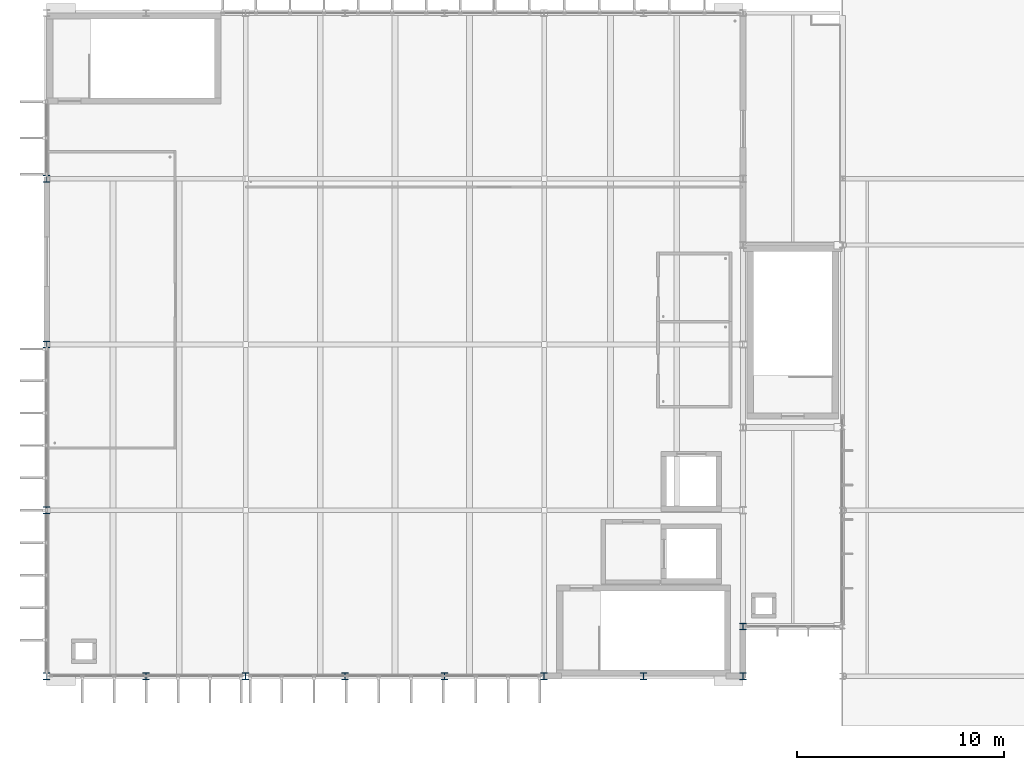
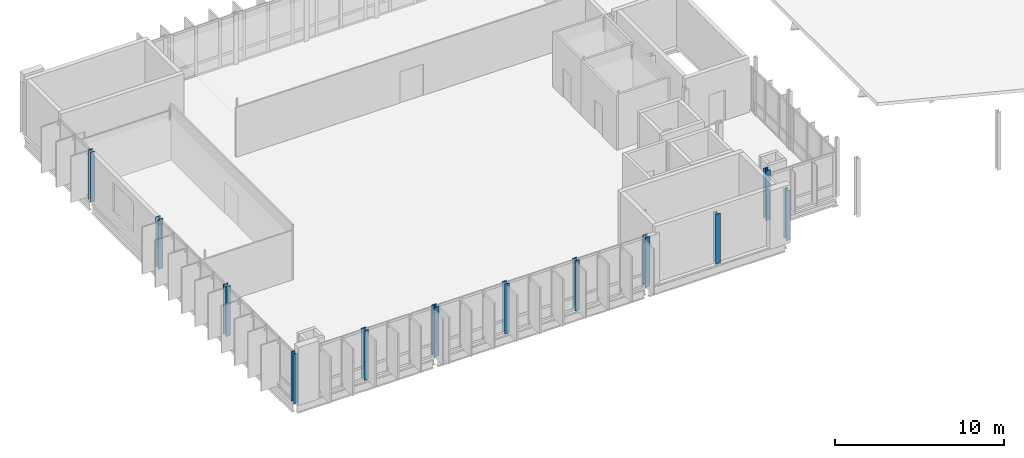
# One storey, part 1 of 22: 12 columns.
"""IFC4 building model written with IfcOpenShell, lengths in metres."""

import ifcopenshell
import ifcopenshell.guid

model = None  # the IFC model being written
_history = None  # IfcOwnerHistory: only IFC2X3 demands one
_inside = {}  # id of a spatial element -> (the spatial element, [elements in it])
_under = {}  # id of a project, library or spatial element -> (it, [spatial elements below it])
_declared = {}  # id of a project -> (the project, [libraries it declares])
_typed = {}  # id of a type object -> (the type object, [elements of that type])
_made_of = {}  # id of a material, layer set ... -> (it, [elements and type objects made of it])


def new_model(schema):
    """Start an empty IFC model of exactly this schema.

    Asked for "IFC4X3", IfcOpenShell would pick the latest addendum, in which some entities
    have other attributes; the version numbers below select the first issue.
    IFC2X3 requires an IfcOwnerHistory on every rooted entity: one is made here for all.
    """
    global model, _history
    if schema == "IFC4X3":
        model = ifcopenshell.file(schema_version=(4, 3, 0, 0))
    else:
        model = ifcopenshell.file(schema=schema)
    _inside.clear()
    _under.clear()
    _declared.clear()
    _typed.clear()
    _made_of.clear()
    _history = None
    if model.schema == "IFC2X3":
        org = make("IfcOrganization", Name="unknown")
        user = make(
            "IfcPersonAndOrganization",
            ThePerson=make("IfcPerson", FamilyName="unknown"),
            TheOrganization=org,
        )
        app = make(
            "IfcApplication",
            ApplicationDeveloper=org,
            Version="unknown",
            ApplicationFullName="unknown",
            ApplicationIdentifier="unknown",
        )
        _history = make(
            "IfcOwnerHistory",
            OwningUser=user,
            OwningApplication=app,
            ChangeAction="ADDED",
            CreationDate=0,
        )
    return model


def make(cls, **values):
    """One entity of the class cls with the attributes given. An attribute that is None is left unset."""
    return model.create_entity(
        cls, **{name: value for name, value in values.items() if value is not None}
    )


def rooted(cls, **values):
    """An entity with a GlobalId (a new one), such as an element, a storey or a relation."""
    return make(cls, GlobalId=ifcopenshell.guid.new(), OwnerHistory=_history, **values)


def si_unit(unit_type, name, prefix=None):
    """IfcSIUnit, for example si_unit("LENGTHUNIT", "METRE", prefix="MILLI")."""
    return make("IfcSIUnit", UnitType=unit_type, Prefix=prefix, Name=name)


def assignment(units):
    """IfcUnitAssignment: the units of a project."""
    return None if units is None else make("IfcUnitAssignment", Units=units)


def point(xyz):
    """IfcCartesianPoint."""
    return None if xyz is None else make("IfcCartesianPoint", Coordinates=xyz)


def direction(xyz):
    """IfcDirection."""
    return None if xyz is None else make("IfcDirection", DirectionRatios=xyz)


def frame(location, z_axis=None, x_axis=None):
    """IfcAxis2Placement3D, a coordinate frame: its origin and axes. An axis left out is left unset."""
    return make(
        "IfcAxis2Placement3D",
        Location=point(location),
        Axis=direction(z_axis),
        RefDirection=direction(x_axis),
    )


def frame_2d(location, x_axis=None):
    """IfcAxis2Placement2D, a coordinate frame in the plane: its origin and x axis."""
    return make(
        "IfcAxis2Placement2D", Location=point(location), RefDirection=direction(x_axis)
    )


def origin():
    """The frame at (0, 0, 0) with its axes left unset."""
    return frame((0.0, 0.0, 0.0))


def origin_2d():
    """The frame at (0, 0) in the plane with its x axis left unset."""
    return frame_2d((0.0, 0.0))


def place(relative_to, where):
    """IfcLocalPlacement: puts the frame where relative to a parent placement (None: the world)."""
    return make(
        "IfcLocalPlacement", PlacementRelTo=relative_to, RelativePlacement=where
    )


def context(
    kind, dimensions, precision=None, world=None, true_north=None, identifier=None
):
    """IfcGeometricRepresentationContext, for example the 3D "Model" context."""
    return make(
        "IfcGeometricRepresentationContext",
        ContextIdentifier=identifier,
        ContextType=kind,
        CoordinateSpaceDimension=dimensions,
        Precision=precision,
        WorldCoordinateSystem=world,
        TrueNorth=true_north,
    )


def subcontext(parent, identifier, kind, view, scale=None):
    """IfcGeometricRepresentationSubContext, for example "Body" below "Model"."""
    return make(
        "IfcGeometricRepresentationSubContext",
        ContextIdentifier=identifier,
        ContextType=kind,
        ParentContext=parent,
        TargetScale=scale,
        TargetView=view,
    )


def project(units=None, contexts=None):
    """IfcProject with its units and contexts."""
    return rooted(
        "IfcProject",
        Name="project",
        RepresentationContexts=contexts,
        UnitsInContext=assignment(units),
    )


def spatial(cls, under=None, at=None, **own):
    """A site, building, storey or space (cls), placed at a placement, below another one or the project."""
    s = rooted(cls, ObjectPlacement=at, **own)
    if under is not None:
        _under.setdefault(under.id(), (under, []))[1].append(s)
    return s


def profile(cls, at=None, kind="AREA", **sizes):
    """A parametric profile (cls). Its sizes go by their IFC names, for example OverallWidth=200.0."""
    return make(cls, ProfileType=kind, Position=at, **sizes)


def i_section(**sizes):
    """IfcIShapeProfileDef."""
    return profile("IfcIShapeProfileDef", **sizes)


def extrude(swept, where, along, depth):
    """IfcExtrudedAreaSolid: the profile swept, set in the frame where, extruded along a direction by depth."""
    return make(
        "IfcExtrudedAreaSolid",
        SweptArea=swept,
        Position=where,
        ExtrudedDirection=direction(along),
        Depth=depth,
    )


def shape(context_of_items, identifier, shape_type, items):
    """IfcShapeRepresentation: the items that make up one representation, for example the "Body"."""
    return make(
        "IfcShapeRepresentation",
        ContextOfItems=context_of_items,
        RepresentationIdentifier=identifier,
        RepresentationType=shape_type,
        Items=items,
    )


def material(Name=None, Category=None):
    """IfcMaterial."""
    return make("IfcMaterial", Name=Name, Category=Category)


def material_profile(
    of_material, cross_section, Name=None, Category=None, Priority=None
):
    """IfcMaterialProfile: a cross section and its material."""
    return make(
        "IfcMaterialProfile",
        Name=Name,
        Material=of_material,
        Profile=cross_section,
        Priority=Priority,
        Category=Category,
    )


def profile_set(profiles, Name=None, composite=None):
    """IfcMaterialProfileSet."""
    return make(
        "IfcMaterialProfileSet",
        Name=Name,
        MaterialProfiles=profiles,
        CompositeProfile=composite,
    )


def made_of(thing, what):
    """Note that an element or type object is made of a material, layer set ...; save() writes the relation."""
    if what is not None:
        _made_of.setdefault(what.id(), (what, []))[1].append(thing)
    return thing


def type_object(cls, material=None, **own):
    """A type object (cls), such as IfcWallType, which elements share."""
    return made_of(rooted(cls, **own), material)


def element(
    cls,
    number,
    at=None,
    inside=None,
    cuts=None,
    type_object=None,
    material=None,
    context=None,
    identifier="Body",
    shape_type=None,
    held_by="IfcProductDefinitionShape",
    body=None,
    shapes=None,
    **own,
):
    """One element of the class cls, such as IfcWall. Its Tag is "e" and its number.

    at: its placement. inside: the storey or other place that contains it. cuts: it is an
    opening in that element (IfcRelVoidsElement). A single representation is given by context,
    identifier, shape_type and body (its items); several are given by shapes. held_by: the class
    of the entity that holds the representations. save() writes the other relations.
    """
    e = rooted(cls, Tag="e%d" % number, ObjectPlacement=at, **own)
    if body is not None:
        shapes = [shape(context, identifier, shape_type, body)]
    if shapes is not None:
        e.Representation = make(held_by, Representations=shapes)
    if inside is not None:
        _inside.setdefault(inside.id(), (inside, []))[1].append(e)
    if cuts is not None:
        rooted(
            "IfcRelVoidsElement", RelatingBuildingElement=cuts, RelatedOpeningElement=e
        )
    if type_object is not None:
        _typed.setdefault(type_object.id(), (type_object, []))[1].append(e)
    return made_of(e, material)


def aggregate(whole, parts):
    """IfcRelAggregates: a whole, such as a stair, and the parts it consists of."""
    return rooted("IfcRelAggregates", RelatingObject=whole, RelatedObjects=parts)


def save(model, path):
    """Write the relations noted so far, then the file.

    IfcRelAggregates (storeys below a building ...), IfcRelContainedInSpatialStructure (elements
    in a storey), IfcRelDefinesByType, IfcRelAssociatesMaterial and IfcRelDeclares: one each for
    every whole, place, type object, material and project.
    """
    for whole, parts in _under.values():
        aggregate(whole, parts)
    for where, things in _inside.values():
        rooted(
            "IfcRelContainedInSpatialStructure",
            RelatedElements=things,
            RelatingStructure=where,
        )
    for kind, things in _typed.values():
        rooted("IfcRelDefinesByType", RelatedObjects=things, RelatingType=kind)
    for what, things in _made_of.values():
        rooted("IfcRelAssociatesMaterial", RelatedObjects=things, RelatingMaterial=what)
    for by, libraries in _declared.values():
        rooted("IfcRelDeclares", RelatingContext=by, RelatedDefinitions=libraries)
    model.write(path)


model = new_model("IFC4")

# Units and contexts
model_context = context("Model", 3, precision=1e-05, world=origin(), true_north=direction((0.0, 1.0)))
body_context = subcontext(model_context, "Body", "Model", "MODEL_VIEW")
ifc_project = project(units=[si_unit("LENGTHUNIT", "METRE"), si_unit("AREAUNIT", "SQUARE_METRE"), si_unit("VOLUMEUNIT", "CUBIC_METRE"), si_unit("PLANEANGLEUNIT", "RADIAN"), si_unit("MASSUNIT", "GRAM", prefix="KILO")], contexts=[model_context])

# Site, building, storey
site_placement = place(None, origin())
site = spatial("IfcSite", under=ifc_project, at=site_placement, CompositionType="ELEMENT")
building_placement = place(site_placement, origin())
building = spatial("IfcBuilding", under=site, at=building_placement, Name="Dunescarp Central Library", CompositionType="ELEMENT")
storey_placement = place(building_placement, frame((0.0, 0.0, 27.60009765625)))
storey = spatial("IfcBuildingStorey", under=building, at=storey_placement, Name="L06", CompositionType="ELEMENT", Elevation=27.60009765625)

# Columns
ifc_material = material(Name="Steel S355JR", Category="steel")
ifc_material_profile = material_profile(ifc_material, i_section(OverallWidth=0.311279296875, OverallDepth=0.3271484375, WebThickness=0.015869140625, FlangeThickness=0.02490234375, at=origin_2d()), Name="UC 305x305x158")
ifc_profile_set = profile_set([ifc_material_profile], Name="Steel S355JR")
column_type = type_object("IfcColumnType", Name="STR-COL-UC305X158", PredefinedType="COLUMN", material=ifc_profile_set)
for number, where, z_axis, x_axis, name in (
    (1, (0.0, 4.800048828125, 0.0), (0.0, 0.0, 1.0), (1.0, 0.0, 0.0), "L06 column V1P-0-48"),
    (2, (4.800048828125, 4.800048828125, 0.0), (0.0, 0.0, 1.0), (1.0, 0.0, 0.0), "L06 column V1P-48-48"),
    (3, (9.60009765625, 4.800048828125, 0.0), (0.0, 0.0, 1.0), (1.0, 0.0, 0.0), "L06 column V1P-96-48"),
    (4, (14.39990234375, 4.800048828125, 0.0), (0.0, 0.0, 1.0), (1.0, 0.0, 0.0), "L06 column V1P-144-48"),
    (5, (19.199951171875, 4.800048828125, 0.0), (0.0, 0.0, 1.0), (1.0, 0.0, 0.0), "L06 column V1P-192-48"),
    (6, (24.0, 4.800048828125, 0.0), (0.0, 0.0, 1.0), (1.0, 0.0, 0.0), "L06 column V1P-240-48"),
    (7, (28.800048828125, 4.800048828125, 0.0), (0.0, 0.0, 1.0), (1.0, 0.0, 0.0), "L06 column V1P-288-48"),
    (8, (33.60009765625, 4.800048828125, 0.0), (0.0, 0.0, 1.0), (1.0, 0.0, 0.0), "L06 column V1P-336-48"),
    (9, (0.0, 12.800048828125, 0.0), (0.0, 0.0, 1.0), (1.0, 0.0, 0.0), "L06 column V1P-0-128"),
    (10, (0.0, 20.800048828125, 0.0), (0.0, 0.0, 1.0), (1.0, 0.0, 0.0), "L06 column V1P-0-208"),
    (11, (0.0, 28.800048828125, 0.0), (0.0, 0.0, 1.0), (1.0, 0.0, 0.0), "L06 column V1P-0-288"),
    (12, (33.60009765625, 7.199951171875, 0.0), (0.0, 0.0, 1.0), (1.0, 0.0, 0.0), "L06 column V1P-336-72"),
):
    element("IfcColumn", number, at=place(storey_placement, frame(where, z_axis=z_axis, x_axis=x_axis)), inside=storey, type_object=column_type, Name=name, PredefinedType="COLUMN", context=body_context, shape_type="SweptSolid", body=[
        extrude(i_section(OverallWidth=0.311279296875, OverallDepth=0.3271484375, WebThickness=0.015869140625, FlangeThickness=0.02490234375, at=origin_2d()), origin(), (0.0, 0.0, 1.0), 3.599853515625),
    ])

save(model, "model.ifc")
